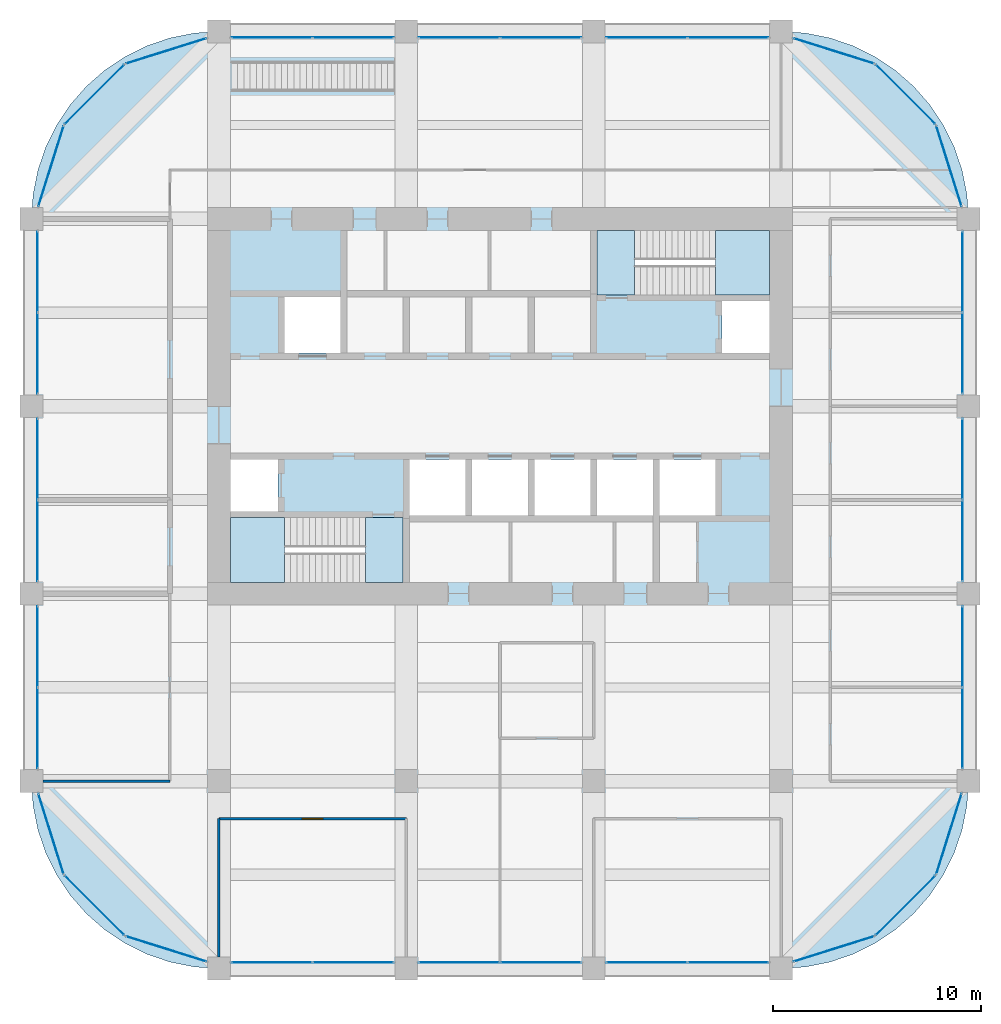
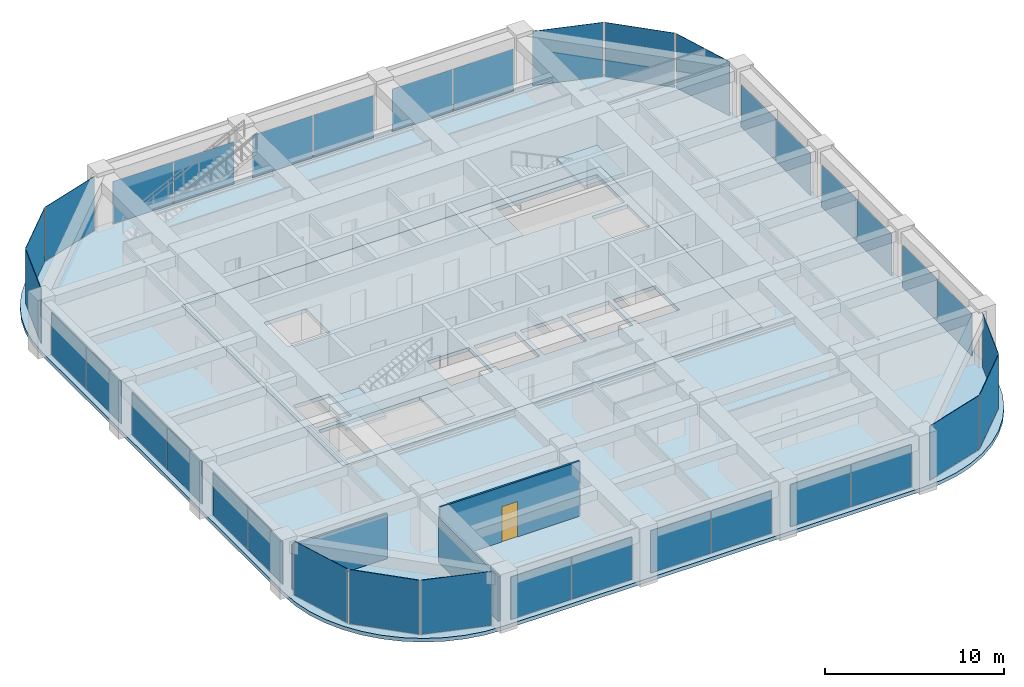
# One storey, part 40 of 44: 36 plates, 6 slabs, 3 walls, 1 door, 1 opening, 26 elements without a shape of their own.
"""IFC4 building model written with IfcOpenShell, lengths in metres."""

from ifc_helpers import new_model, si_unit, direction, frame, frame_2d, origin, origin_2d, place, context, subcontext, project, spatial, polyline, rectangle, outline, extrude, material, layer, layer_set, type_object, element, fill, aggregate, save


model = new_model("IFC4")

# Units and contexts
model_context = context("Model", 3, precision=1e-05, world=origin(), true_north=direction((0.0, 1.0)))
body_context = subcontext(model_context, "Body", "Model", "MODEL_VIEW")
ifc_project = project(units=[si_unit("LENGTHUNIT", "METRE"), si_unit("AREAUNIT", "SQUARE_METRE"), si_unit("VOLUMEUNIT", "CUBIC_METRE"), si_unit("PLANEANGLEUNIT", "RADIAN"), si_unit("MASSUNIT", "GRAM", prefix="KILO")], contexts=[model_context])

# Site, building, storey
site_placement = place(None, origin())
site = spatial("IfcSite", under=ifc_project, at=site_placement, CompositionType="ELEMENT")
building_placement = place(site_placement, origin())
building = spatial("IfcBuilding", under=site, at=building_placement, Name="Zorevar Civic Tower", CompositionType="ELEMENT")
storey_placement = place(building_placement, frame((0.0, 0.0, 271.39990234375)))
storey = spatial("IfcBuildingStorey", under=building, at=storey_placement, Name="L66", CompositionType="ELEMENT", Elevation=271.39990234375)

# Curtain wall, plates
ifc_material_1 = material(Name="Dark grey solar-control glass in black aluminium frame", Category="aluminium")
curtain_wall_type = type_object("IfcCurtainWallType", Name="Curtain wall CW5 top zone", PredefinedType="NOTDEFINED", material=ifc_material_1)
curtain_wall_1_placement = place(storey_placement, origin())
curtain_wall_1 = element("IfcCurtainWall", 1, at=curtain_wall_1_placement, inside=storey, type_object=curtain_wall_type, Name="CW5 L66", PredefinedType="NOTDEFINED")
ifc_material_2 = material(Name="Dark grey solar-control glass", Category="glass")
ifc_layer_1 = layer(ifc_material_2, 0.028076171875)
ifc_layer_set_1 = layer_set([ifc_layer_1], Name="CW5 panel 28")
plate_type = type_object("IfcPlateType", Name="CW5 panel 28", PredefinedType="CURTAIN_PANEL", material=ifc_layer_set_1)
plate_1_placement = place(storey_placement, frame((20.5400390625, 0.300048828125, 0.06005859375), z_axis=(0.0, 0.0, 1.0), x_axis=(1.0, 0.0, 0.0)))
plate_1 = element("IfcPlate", 2, at=plate_1_placement, type_object=plate_type, Name="CW5 panel 1.1", PredefinedType="CURTAIN_PANEL", context=body_context, shape_type="SweptSolid", body=[
    extrude(rectangle(XDim=3.860107421875, YDim=0.028076171875, at=origin_2d()), origin(), (0.0, 0.0, 1.0), 2.889892578125),
])
plate_2_placement = place(storey_placement, frame((24.4599609375, 0.300048828125, 0.06005859375), z_axis=(0.0, 0.0, 1.0), x_axis=(1.0, 0.0, 0.0)))
plate_2 = element("IfcPlate", 3, at=plate_2_placement, type_object=plate_type, Name="CW5 panel 2.1", PredefinedType="CURTAIN_PANEL", context=body_context, shape_type="SweptSolid", body=[
    extrude(rectangle(XDim=3.860107421875, YDim=0.028076171875, at=origin_2d()), origin(), (0.0, 0.0, 1.0), 2.889892578125),
])
aggregate(curtain_wall_1, [plate_1, plate_2])

curtain_wall_2_placement = place(storey_placement, origin())
curtain_wall_2 = element("IfcCurtainWall", 4, at=curtain_wall_2_placement, inside=storey, type_object=curtain_wall_type, Name="CW5 L66", PredefinedType="NOTDEFINED")
plate_3_placement = place(storey_placement, frame((20.5400390625, 44.699951171875, 0.06005859375), z_axis=(0.0, 0.0, 1.0), x_axis=(1.0, 0.0, 0.0)))
plate_3 = element("IfcPlate", 5, at=plate_3_placement, type_object=plate_type, Name="CW5 panel 1.1", PredefinedType="CURTAIN_PANEL", context=body_context, shape_type="SweptSolid", body=[
    extrude(rectangle(XDim=3.860107421875, YDim=0.028076171875, at=origin_2d()), origin(), (0.0, 0.0, 1.0), 2.889892578125),
])
plate_4_placement = place(storey_placement, frame((24.4599609375, 44.699951171875, 0.06005859375), z_axis=(0.0, 0.0, 1.0), x_axis=(1.0, 0.0, 0.0)))
plate_4 = element("IfcPlate", 6, at=plate_4_placement, type_object=plate_type, Name="CW5 panel 2.1", PredefinedType="CURTAIN_PANEL", context=body_context, shape_type="SweptSolid", body=[
    extrude(rectangle(XDim=3.860107421875, YDim=0.028076171875, at=origin_2d()), origin(), (0.0, 0.0, 1.0), 2.889892578125),
])
aggregate(curtain_wall_2, [plate_3, plate_4])

curtain_wall_3_placement = place(storey_placement, origin())
curtain_wall_3 = element("IfcCurtainWall", 7, at=curtain_wall_3_placement, inside=storey, type_object=curtain_wall_type, Name="CW5 L66", PredefinedType="NOTDEFINED")
plate_5_placement = place(storey_placement, frame((29.5400390625, 0.300048828125, 0.06005859375), z_axis=(0.0, 0.0, 1.0), x_axis=(1.0, 0.0, 0.0)))
plate_5 = element("IfcPlate", 8, at=plate_5_placement, type_object=plate_type, Name="CW5 panel 1.1", PredefinedType="CURTAIN_PANEL", context=body_context, shape_type="SweptSolid", body=[
    extrude(rectangle(XDim=3.860107421875, YDim=0.028076171875, at=origin_2d()), origin(), (0.0, 0.0, 1.0), 2.889892578125),
])
plate_6_placement = place(storey_placement, frame((33.4599609375, 0.300048828125, 0.06005859375), z_axis=(0.0, 0.0, 1.0), x_axis=(1.0, 0.0, 0.0)))
plate_6 = element("IfcPlate", 9, at=plate_6_placement, type_object=plate_type, Name="CW5 panel 2.1", PredefinedType="CURTAIN_PANEL", context=body_context, shape_type="SweptSolid", body=[
    extrude(rectangle(XDim=3.860107421875, YDim=0.028076171875, at=origin_2d()), origin(), (0.0, 0.0, 1.0), 2.889892578125),
])
aggregate(curtain_wall_3, [plate_5, plate_6])

curtain_wall_4_placement = place(storey_placement, origin())
curtain_wall_4 = element("IfcCurtainWall", 10, at=curtain_wall_4_placement, inside=storey, type_object=curtain_wall_type, Name="CW5 L66", PredefinedType="NOTDEFINED")
plate_7_placement = place(storey_placement, frame((29.5400390625, 44.699951171875, 0.06005859375), z_axis=(0.0, 0.0, 1.0), x_axis=(1.0, 0.0, 0.0)))
plate_7 = element("IfcPlate", 11, at=plate_7_placement, type_object=plate_type, Name="CW5 panel 1.1", PredefinedType="CURTAIN_PANEL", context=body_context, shape_type="SweptSolid", body=[
    extrude(rectangle(XDim=3.860107421875, YDim=0.028076171875, at=origin_2d()), origin(), (0.0, 0.0, 1.0), 2.889892578125),
])
plate_8_placement = place(storey_placement, frame((33.4599609375, 44.699951171875, 0.06005859375), z_axis=(0.0, 0.0, 1.0), x_axis=(1.0, 0.0, 0.0)))
plate_8 = element("IfcPlate", 12, at=plate_8_placement, type_object=plate_type, Name="CW5 panel 2.1", PredefinedType="CURTAIN_PANEL", context=body_context, shape_type="SweptSolid", body=[
    extrude(rectangle(XDim=3.860107421875, YDim=0.028076171875, at=origin_2d()), origin(), (0.0, 0.0, 1.0), 2.889892578125),
])
aggregate(curtain_wall_4, [plate_7, plate_8])

curtain_wall_5_placement = place(storey_placement, origin())
curtain_wall_5 = element("IfcCurtainWall", 13, at=curtain_wall_5_placement, inside=storey, type_object=curtain_wall_type, Name="CW5 L66", PredefinedType="NOTDEFINED")
plate_9_placement = place(storey_placement, frame((38.5400390625, 0.300048828125, 0.06005859375), z_axis=(0.0, 0.0, 1.0), x_axis=(1.0, 0.0, 0.0)))
plate_9 = element("IfcPlate", 14, at=plate_9_placement, type_object=plate_type, Name="CW5 panel 1.1", PredefinedType="CURTAIN_PANEL", context=body_context, shape_type="SweptSolid", body=[
    extrude(rectangle(XDim=3.860107421875, YDim=0.028076171875, at=origin_2d()), origin(), (0.0, 0.0, 1.0), 2.889892578125),
])
plate_10_placement = place(storey_placement, frame((42.4599609375, 0.300048828125, 0.06005859375), z_axis=(0.0, 0.0, 1.0), x_axis=(1.0, 0.0, 0.0)))
plate_10 = element("IfcPlate", 15, at=plate_10_placement, type_object=plate_type, Name="CW5 panel 2.1", PredefinedType="CURTAIN_PANEL", context=body_context, shape_type="SweptSolid", body=[
    extrude(rectangle(XDim=3.860107421875, YDim=0.028076171875, at=origin_2d()), origin(), (0.0, 0.0, 1.0), 2.889892578125),
])
aggregate(curtain_wall_5, [plate_9, plate_10])

curtain_wall_6_placement = place(storey_placement, origin())
curtain_wall_6 = element("IfcCurtainWall", 16, at=curtain_wall_6_placement, inside=storey, type_object=curtain_wall_type, Name="CW5 L66", PredefinedType="NOTDEFINED")
plate_11_placement = place(storey_placement, frame((38.5400390625, 44.699951171875, 0.06005859375), z_axis=(0.0, 0.0, 1.0), x_axis=(1.0, 0.0, 0.0)))
plate_11 = element("IfcPlate", 17, at=plate_11_placement, type_object=plate_type, Name="CW5 panel 1.1", PredefinedType="CURTAIN_PANEL", context=body_context, shape_type="SweptSolid", body=[
    extrude(rectangle(XDim=3.860107421875, YDim=0.028076171875, at=origin_2d()), origin(), (0.0, 0.0, 1.0), 2.889892578125),
])
plate_12_placement = place(storey_placement, frame((42.4599609375, 44.699951171875, 0.06005859375), z_axis=(0.0, 0.0, 1.0), x_axis=(1.0, 0.0, 0.0)))
plate_12 = element("IfcPlate", 18, at=plate_12_placement, type_object=plate_type, Name="CW5 panel 2.1", PredefinedType="CURTAIN_PANEL", context=body_context, shape_type="SweptSolid", body=[
    extrude(rectangle(XDim=3.860107421875, YDim=0.028076171875, at=origin_2d()), origin(), (0.0, 0.0, 1.0), 2.889892578125),
])
aggregate(curtain_wall_6, [plate_11, plate_12])

curtain_wall_7_placement = place(storey_placement, origin())
curtain_wall_7 = element("IfcCurtainWall", 19, at=curtain_wall_7_placement, inside=storey, type_object=curtain_wall_type, Name="CW5 L66", PredefinedType="NOTDEFINED")
plate_13_placement = place(storey_placement, frame((9.300048828125, 11.5400390625, 0.06005859375), z_axis=(0.0, 0.0, 1.0), x_axis=(0.0, 1.0, 0.0)))
plate_13 = element("IfcPlate", 20, at=plate_13_placement, type_object=plate_type, Name="CW5 panel 1.1", PredefinedType="CURTAIN_PANEL", context=body_context, shape_type="SweptSolid", body=[
    extrude(rectangle(XDim=3.860107421875, YDim=0.028076171875, at=origin_2d()), origin(), (0.0, 0.0, 1.0), 2.889892578125),
])
plate_14_placement = place(storey_placement, frame((9.300048828125, 15.4599609375, 0.06005859375), z_axis=(0.0, 0.0, 1.0), x_axis=(0.0, 1.0, 0.0)))
plate_14 = element("IfcPlate", 21, at=plate_14_placement, type_object=plate_type, Name="CW5 panel 2.1", PredefinedType="CURTAIN_PANEL", context=body_context, shape_type="SweptSolid", body=[
    extrude(rectangle(XDim=3.860107421875, YDim=0.028076171875, at=origin_2d()), origin(), (0.0, 0.0, 1.0), 2.889892578125),
])
aggregate(curtain_wall_7, [plate_13, plate_14])

curtain_wall_8_placement = place(storey_placement, origin())
curtain_wall_8 = element("IfcCurtainWall", 22, at=curtain_wall_8_placement, inside=storey, type_object=curtain_wall_type, Name="CW5 L66", PredefinedType="NOTDEFINED")
plate_15_placement = place(storey_placement, frame((53.699951171875, 11.5400390625, 0.06005859375), z_axis=(0.0, 0.0, 1.0), x_axis=(0.0, 1.0, 0.0)))
plate_15 = element("IfcPlate", 23, at=plate_15_placement, type_object=plate_type, Name="CW5 panel 1.1", PredefinedType="CURTAIN_PANEL", context=body_context, shape_type="SweptSolid", body=[
    extrude(rectangle(XDim=3.860107421875, YDim=0.028076171875, at=origin_2d()), origin(), (0.0, 0.0, 1.0), 2.889892578125),
])
plate_16_placement = place(storey_placement, frame((53.699951171875, 15.4599609375, 0.06005859375), z_axis=(0.0, 0.0, 1.0), x_axis=(0.0, 1.0, 0.0)))
plate_16 = element("IfcPlate", 24, at=plate_16_placement, type_object=plate_type, Name="CW5 panel 2.1", PredefinedType="CURTAIN_PANEL", context=body_context, shape_type="SweptSolid", body=[
    extrude(rectangle(XDim=3.860107421875, YDim=0.028076171875, at=origin_2d()), origin(), (0.0, 0.0, 1.0), 2.889892578125),
])
aggregate(curtain_wall_8, [plate_15, plate_16])

curtain_wall_9_placement = place(storey_placement, origin())
curtain_wall_9 = element("IfcCurtainWall", 25, at=curtain_wall_9_placement, inside=storey, type_object=curtain_wall_type, Name="CW5 L66", PredefinedType="NOTDEFINED")
plate_17_placement = place(storey_placement, frame((9.300048828125, 20.5400390625, 0.06005859375), z_axis=(0.0, 0.0, 1.0), x_axis=(0.0, 1.0, 0.0)))
plate_17 = element("IfcPlate", 26, at=plate_17_placement, type_object=plate_type, Name="CW5 panel 1.1", PredefinedType="CURTAIN_PANEL", context=body_context, shape_type="SweptSolid", body=[
    extrude(rectangle(XDim=3.860107421875, YDim=0.028076171875, at=origin_2d()), origin(), (0.0, 0.0, 1.0), 2.889892578125),
])
plate_18_placement = place(storey_placement, frame((9.300048828125, 24.4599609375, 0.06005859375), z_axis=(0.0, 0.0, 1.0), x_axis=(0.0, 1.0, 0.0)))
plate_18 = element("IfcPlate", 27, at=plate_18_placement, type_object=plate_type, Name="CW5 panel 2.1", PredefinedType="CURTAIN_PANEL", context=body_context, shape_type="SweptSolid", body=[
    extrude(rectangle(XDim=3.860107421875, YDim=0.028076171875, at=origin_2d()), origin(), (0.0, 0.0, 1.0), 2.889892578125),
])
aggregate(curtain_wall_9, [plate_17, plate_18])

curtain_wall_10_placement = place(storey_placement, origin())
curtain_wall_10 = element("IfcCurtainWall", 28, at=curtain_wall_10_placement, inside=storey, type_object=curtain_wall_type, Name="CW5 L66", PredefinedType="NOTDEFINED")
plate_19_placement = place(storey_placement, frame((53.699951171875, 20.5400390625, 0.06005859375), z_axis=(0.0, 0.0, 1.0), x_axis=(0.0, 1.0, 0.0)))
plate_19 = element("IfcPlate", 29, at=plate_19_placement, type_object=plate_type, Name="CW5 panel 1.1", PredefinedType="CURTAIN_PANEL", context=body_context, shape_type="SweptSolid", body=[
    extrude(rectangle(XDim=3.860107421875, YDim=0.028076171875, at=origin_2d()), origin(), (0.0, 0.0, 1.0), 2.889892578125),
])
plate_20_placement = place(storey_placement, frame((53.699951171875, 24.4599609375, 0.06005859375), z_axis=(0.0, 0.0, 1.0), x_axis=(0.0, 1.0, 0.0)))
plate_20 = element("IfcPlate", 30, at=plate_20_placement, type_object=plate_type, Name="CW5 panel 2.1", PredefinedType="CURTAIN_PANEL", context=body_context, shape_type="SweptSolid", body=[
    extrude(rectangle(XDim=3.860107421875, YDim=0.028076171875, at=origin_2d()), origin(), (0.0, 0.0, 1.0), 2.889892578125),
])
aggregate(curtain_wall_10, [plate_19, plate_20])

curtain_wall_11_placement = place(storey_placement, origin())
curtain_wall_11 = element("IfcCurtainWall", 31, at=curtain_wall_11_placement, inside=storey, type_object=curtain_wall_type, Name="CW5 L66", PredefinedType="NOTDEFINED")
plate_21_placement = place(storey_placement, frame((9.300048828125, 29.5400390625, 0.06005859375), z_axis=(0.0, 0.0, 1.0), x_axis=(0.0, 1.0, 0.0)))
plate_21 = element("IfcPlate", 32, at=plate_21_placement, type_object=plate_type, Name="CW5 panel 1.1", PredefinedType="CURTAIN_PANEL", context=body_context, shape_type="SweptSolid", body=[
    extrude(rectangle(XDim=3.860107421875, YDim=0.028076171875, at=origin_2d()), origin(), (0.0, 0.0, 1.0), 2.889892578125),
])
plate_22_placement = place(storey_placement, frame((9.300048828125, 33.4599609375, 0.06005859375), z_axis=(0.0, 0.0, 1.0), x_axis=(0.0, 1.0, 0.0)))
plate_22 = element("IfcPlate", 33, at=plate_22_placement, type_object=plate_type, Name="CW5 panel 2.1", PredefinedType="CURTAIN_PANEL", context=body_context, shape_type="SweptSolid", body=[
    extrude(rectangle(XDim=3.860107421875, YDim=0.028076171875, at=origin_2d()), origin(), (0.0, 0.0, 1.0), 2.889892578125),
])
aggregate(curtain_wall_11, [plate_21, plate_22])

curtain_wall_12_placement = place(storey_placement, origin())
curtain_wall_12 = element("IfcCurtainWall", 34, at=curtain_wall_12_placement, inside=storey, type_object=curtain_wall_type, Name="CW5 L66", PredefinedType="NOTDEFINED")
plate_23_placement = place(storey_placement, frame((53.699951171875, 29.5400390625, 0.06005859375), z_axis=(0.0, 0.0, 1.0), x_axis=(0.0, 1.0, 0.0)))
plate_23 = element("IfcPlate", 35, at=plate_23_placement, type_object=plate_type, Name="CW5 panel 1.1", PredefinedType="CURTAIN_PANEL", context=body_context, shape_type="SweptSolid", body=[
    extrude(rectangle(XDim=3.860107421875, YDim=0.028076171875, at=origin_2d()), origin(), (0.0, 0.0, 1.0), 2.889892578125),
])
plate_24_placement = place(storey_placement, frame((53.699951171875, 33.4599609375, 0.06005859375), z_axis=(0.0, 0.0, 1.0), x_axis=(0.0, 1.0, 0.0)))
plate_24 = element("IfcPlate", 36, at=plate_24_placement, type_object=plate_type, Name="CW5 panel 2.1", PredefinedType="CURTAIN_PANEL", context=body_context, shape_type="SweptSolid", body=[
    extrude(rectangle(XDim=3.860107421875, YDim=0.028076171875, at=origin_2d()), origin(), (0.0, 0.0, 1.0), 2.889892578125),
])
aggregate(curtain_wall_12, [plate_23, plate_24])

# Curtain wall, plate
curtain_wall_13_placement = place(storey_placement, origin())
curtain_wall_13 = element("IfcCurtainWall", 37, at=curtain_wall_13_placement, inside=storey, type_object=curtain_wall_type, Name="CW5 L66", PredefinedType="NOTDEFINED")
plate_25_placement = place(storey_placement, frame((47.52880859375, 0.938232421875, 0.06005859375), z_axis=(0.0, 0.0, 1.0), x_axis=(0.954153437674, 0.299317920238, 0.0)))
plate_25 = element("IfcPlate", 38, at=plate_25_placement, type_object=plate_type, Name="CW5 panel 1.1", PredefinedType="CURTAIN_PANEL", context=body_context, shape_type="SweptSolid", body=[
    extrude(rectangle(XDim=4.028076171875, YDim=0.028076171875, at=origin_2d()), origin(), (0.0, 0.0, 1.0), 3.68994140625),
])
aggregate(curtain_wall_13, [plate_25])

curtain_wall_14_placement = place(storey_placement, origin())
curtain_wall_14 = element("IfcCurtainWall", 39, at=curtain_wall_14_placement, inside=storey, type_object=curtain_wall_type, Name="CW5 L66", PredefinedType="NOTDEFINED")
plate_26_placement = place(storey_placement, frame((50.974365234375, 3.025634765625, 0.06005859375), z_axis=(0.0, 0.0, 1.0), x_axis=(0.707106781187, 0.707106781187, 0.0)))
plate_26 = element("IfcPlate", 40, at=plate_26_placement, type_object=plate_type, Name="CW5 panel 1.1", PredefinedType="CURTAIN_PANEL", context=body_context, shape_type="SweptSolid", body=[
    extrude(rectangle(XDim=4.028076171875, YDim=0.028076171875, at=origin_2d()), origin(), (0.0, 0.0, 1.0), 3.68994140625),
])
aggregate(curtain_wall_14, [plate_26])

curtain_wall_15_placement = place(storey_placement, origin())
curtain_wall_15 = element("IfcCurtainWall", 41, at=curtain_wall_15_placement, inside=storey, type_object=curtain_wall_type, Name="CW5 L66", PredefinedType="NOTDEFINED")
plate_27_placement = place(storey_placement, frame((53.061767578125, 6.47119140625, 0.06005859375), z_axis=(0.0, 0.0, 1.0), x_axis=(0.299317920238, 0.954153437674, 0.0)))
plate_27 = element("IfcPlate", 42, at=plate_27_placement, type_object=plate_type, Name="CW5 panel 1.1", PredefinedType="CURTAIN_PANEL", context=body_context, shape_type="SweptSolid", body=[
    extrude(rectangle(XDim=4.028076171875, YDim=0.028076171875, at=origin_2d()), origin(), (0.0, 0.0, 1.0), 3.68994140625),
])
aggregate(curtain_wall_15, [plate_27])

curtain_wall_16_placement = place(storey_placement, origin())
curtain_wall_16 = element("IfcCurtainWall", 43, at=curtain_wall_16_placement, inside=storey, type_object=curtain_wall_type, Name="CW5 L66", PredefinedType="NOTDEFINED")
plate_28_placement = place(storey_placement, frame((53.061767578125, 38.52880859375, 0.06005859375), z_axis=(0.0, 0.0, 1.0), x_axis=(-0.299317920238, 0.954153437674, 0.0)))
plate_28 = element("IfcPlate", 44, at=plate_28_placement, type_object=plate_type, Name="CW5 panel 1.1", PredefinedType="CURTAIN_PANEL", context=body_context, shape_type="SweptSolid", body=[
    extrude(rectangle(XDim=4.028076171875, YDim=0.028076171875, at=origin_2d()), origin(), (0.0, 0.0, 1.0), 3.68994140625),
])
aggregate(curtain_wall_16, [plate_28])

curtain_wall_17_placement = place(storey_placement, origin())
curtain_wall_17 = element("IfcCurtainWall", 45, at=curtain_wall_17_placement, inside=storey, type_object=curtain_wall_type, Name="CW5 L66", PredefinedType="NOTDEFINED")
plate_29_placement = place(storey_placement, frame((50.974365234375, 41.974365234375, 0.06005859375), z_axis=(0.0, 0.0, 1.0), x_axis=(-0.707106781187, 0.707106781187, 0.0)))
plate_29 = element("IfcPlate", 46, at=plate_29_placement, type_object=plate_type, Name="CW5 panel 1.1", PredefinedType="CURTAIN_PANEL", context=body_context, shape_type="SweptSolid", body=[
    extrude(rectangle(XDim=4.028076171875, YDim=0.028076171875, at=origin_2d()), origin(), (0.0, 0.0, 1.0), 3.68994140625),
])
aggregate(curtain_wall_17, [plate_29])

curtain_wall_18_placement = place(storey_placement, origin())
curtain_wall_18 = element("IfcCurtainWall", 47, at=curtain_wall_18_placement, inside=storey, type_object=curtain_wall_type, Name="CW5 L66", PredefinedType="NOTDEFINED")
plate_30_placement = place(storey_placement, frame((47.52880859375, 44.061767578125, 0.06005859375), z_axis=(0.0, 0.0, 1.0), x_axis=(-0.954153437674, 0.299317920238, 0.0)))
plate_30 = element("IfcPlate", 48, at=plate_30_placement, type_object=plate_type, Name="CW5 panel 1.1", PredefinedType="CURTAIN_PANEL", context=body_context, shape_type="SweptSolid", body=[
    extrude(rectangle(XDim=4.028076171875, YDim=0.028076171875, at=origin_2d()), origin(), (0.0, 0.0, 1.0), 3.68994140625),
])
aggregate(curtain_wall_18, [plate_30])

curtain_wall_19_placement = place(storey_placement, origin())
curtain_wall_19 = element("IfcCurtainWall", 49, at=curtain_wall_19_placement, inside=storey, type_object=curtain_wall_type, Name="CW5 L66", PredefinedType="NOTDEFINED")
plate_31_placement = place(storey_placement, frame((15.47119140625, 44.061767578125, 0.06005859375), z_axis=(0.0, 0.0, 1.0), x_axis=(-0.954153437674, -0.299317920238, 0.0)))
plate_31 = element("IfcPlate", 50, at=plate_31_placement, type_object=plate_type, Name="CW5 panel 1.1", PredefinedType="CURTAIN_PANEL", context=body_context, shape_type="SweptSolid", body=[
    extrude(rectangle(XDim=4.028076171875, YDim=0.028076171875, at=origin_2d()), origin(), (0.0, 0.0, 1.0), 3.68994140625),
])
aggregate(curtain_wall_19, [plate_31])

curtain_wall_20_placement = place(storey_placement, origin())
curtain_wall_20 = element("IfcCurtainWall", 51, at=curtain_wall_20_placement, inside=storey, type_object=curtain_wall_type, Name="CW5 L66", PredefinedType="NOTDEFINED")
plate_32_placement = place(storey_placement, frame((12.025634765625, 41.974365234375, 0.06005859375), z_axis=(0.0, 0.0, 1.0), x_axis=(-0.707106781187, -0.707106781187, 0.0)))
plate_32 = element("IfcPlate", 52, at=plate_32_placement, type_object=plate_type, Name="CW5 panel 1.1", PredefinedType="CURTAIN_PANEL", context=body_context, shape_type="SweptSolid", body=[
    extrude(rectangle(XDim=4.028076171875, YDim=0.028076171875, at=origin_2d()), origin(), (0.0, 0.0, 1.0), 3.68994140625),
])
aggregate(curtain_wall_20, [plate_32])

curtain_wall_21_placement = place(storey_placement, origin())
curtain_wall_21 = element("IfcCurtainWall", 53, at=curtain_wall_21_placement, inside=storey, type_object=curtain_wall_type, Name="CW5 L66", PredefinedType="NOTDEFINED")
plate_33_placement = place(storey_placement, frame((9.938232421875, 38.52880859375, 0.06005859375), z_axis=(0.0, 0.0, 1.0), x_axis=(-0.299317920238, -0.954153437674, 0.0)))
plate_33 = element("IfcPlate", 54, at=plate_33_placement, type_object=plate_type, Name="CW5 panel 1.1", PredefinedType="CURTAIN_PANEL", context=body_context, shape_type="SweptSolid", body=[
    extrude(rectangle(XDim=4.028076171875, YDim=0.028076171875, at=origin_2d()), origin(), (0.0, 0.0, 1.0), 3.68994140625),
])
aggregate(curtain_wall_21, [plate_33])

curtain_wall_22_placement = place(storey_placement, origin())
curtain_wall_22 = element("IfcCurtainWall", 55, at=curtain_wall_22_placement, inside=storey, type_object=curtain_wall_type, Name="CW5 L66", PredefinedType="NOTDEFINED")
plate_34_placement = place(storey_placement, frame((9.938232421875, 6.47119140625, 0.06005859375), z_axis=(0.0, 0.0, 1.0), x_axis=(0.299317920238, -0.954153437674, 0.0)))
plate_34 = element("IfcPlate", 56, at=plate_34_placement, type_object=plate_type, Name="CW5 panel 1.1", PredefinedType="CURTAIN_PANEL", context=body_context, shape_type="SweptSolid", body=[
    extrude(rectangle(XDim=4.028076171875, YDim=0.028076171875, at=origin_2d()), origin(), (0.0, 0.0, 1.0), 3.68994140625),
])
aggregate(curtain_wall_22, [plate_34])

curtain_wall_23_placement = place(storey_placement, origin())
curtain_wall_23 = element("IfcCurtainWall", 57, at=curtain_wall_23_placement, inside=storey, type_object=curtain_wall_type, Name="CW5 L66", PredefinedType="NOTDEFINED")
plate_35_placement = place(storey_placement, frame((12.025634765625, 3.025634765625, 0.06005859375), z_axis=(0.0, 0.0, 1.0), x_axis=(0.707106781187, -0.707106781187, 0.0)))
plate_35 = element("IfcPlate", 58, at=plate_35_placement, type_object=plate_type, Name="CW5 panel 1.1", PredefinedType="CURTAIN_PANEL", context=body_context, shape_type="SweptSolid", body=[
    extrude(rectangle(XDim=4.028076171875, YDim=0.028076171875, at=origin_2d()), origin(), (0.0, 0.0, 1.0), 3.68994140625),
])
aggregate(curtain_wall_23, [plate_35])

curtain_wall_24_placement = place(storey_placement, origin())
curtain_wall_24 = element("IfcCurtainWall", 59, at=curtain_wall_24_placement, inside=storey, type_object=curtain_wall_type, Name="CW5 L66", PredefinedType="NOTDEFINED")
plate_36_placement = place(storey_placement, frame((15.47119140625, 0.938232421875, 0.06005859375), z_axis=(0.0, 0.0, 1.0), x_axis=(0.954153437674, -0.299317920238, 0.0)))
plate_36 = element("IfcPlate", 60, at=plate_36_placement, type_object=plate_type, Name="CW5 panel 1.1", PredefinedType="CURTAIN_PANEL", context=body_context, shape_type="SweptSolid", body=[
    extrude(rectangle(XDim=4.028076171875, YDim=0.028076171875, at=origin_2d()), origin(), (0.0, 0.0, 1.0), 3.68994140625),
])
aggregate(curtain_wall_24, [plate_36])

# Slabs
ifc_material_3 = material(Name="Concrete C40/50", Category="concrete")
ifc_layer_2 = layer(ifc_material_3, 0.25)
ifc_layer_set_2 = layer_set([ifc_layer_2], Name="Floor slab 250")
slab_type_1 = type_object("IfcSlabType", Name="Floor slab 250", PredefinedType="FLOOR", material=ifc_layer_set_2)
slab_1_placement = place(storey_placement, frame((0.0, 0.0, -0.25)))
element("IfcSlab", 61, at=slab_1_placement, inside=storey, type_object=slab_type_1, Name="Floor slab L66", PredefinedType="FLOOR", context=body_context, shape_type="SweptSolid", body=[
    extrude(outline(polyline([(45.0, 0.0), (46.1748046875, 0.076904296875), (47.329345703125, 0.306640625), (48.444091796875, 0.68505859375), (49.5, 1.205810546875), (50.478759765625, 1.85986328125), (51.364013671875, 2.635986328125), (52.14013671875, 3.521240234375), (52.794189453125, 4.5), (53.31494140625, 5.555908203125), (53.693359375, 6.670654296875), (53.923095703125, 7.8251953125), (54.0, 9.0), (54.0, 36.0), (53.923095703125, 37.1748046875), (53.693359375, 38.329345703125), (53.31494140625, 39.444091796875), (52.794189453125, 40.5), (52.14013671875, 41.478759765625), (51.364013671875, 42.364013671875), (50.478759765625, 43.14013671875), (49.5, 43.794189453125), (48.444091796875, 44.31494140625), (47.329345703125, 44.693359375), (46.1748046875, 44.923095703125), (45.0, 45.0), (18.0, 45.0), (16.8251953125, 44.923095703125), (15.670654296875, 44.693359375), (14.555908203125, 44.31494140625), (13.5, 43.794189453125), (12.521240234375, 43.14013671875), (11.635986328125, 42.364013671875), (10.85986328125, 41.478759765625), (10.205810546875, 40.5), (9.68505859375, 39.444091796875), (9.306640625, 38.329345703125), (9.076904296875, 37.1748046875), (9.0, 36.0), (9.0, 9.0), (9.076904296875, 7.8251953125), (9.306640625, 6.670654296875), (9.68505859375, 5.555908203125), (10.205810546875, 4.5), (10.85986328125, 3.521240234375), (11.635986328125, 2.635986328125), (12.521240234375, 1.85986328125), (13.5, 1.205810546875), (14.555908203125, 0.68505859375), (15.670654296875, 0.306640625), (16.8251953125, 0.076904296875), (18.0, 0.0), (45.0, 0.0)]), holes=[polyline([(18.0, 18.0), (45.0, 18.0), (45.0, 36.0), (18.0, 36.0), (18.0, 18.0)])]), origin(), (0.0, 0.0, 1.0), 0.25),
])
slab_2_placement = place(storey_placement, frame((0.0, 0.0, -0.25)))
element("IfcSlab", 62, at=slab_2_placement, inside=storey, type_object=slab_type_1, Name="Core floor L66", PredefinedType="FLOOR", context=body_context, shape_type="SweptSolid", body=[
    extrude(outline(polyline([(18.0, 18.0), (45.0, 18.0), (45.0, 36.0), (18.0, 36.0), (18.0, 18.0)]), holes=[polyline([(18.550048828125, 18.550048828125), (26.85009765625, 18.550048828125), (26.85009765625, 21.64990234375), (18.550048828125, 21.64990234375), (18.550048828125, 18.550048828125)]), polyline([(36.14990234375, 32.35009765625), (44.449951171875, 32.35009765625), (44.449951171875, 35.449951171875), (36.14990234375, 35.449951171875), (36.14990234375, 32.35009765625)]), polyline([(18.550048828125, 21.949951171875), (20.85009765625, 21.949951171875), (20.85009765625, 24.449951171875), (18.550048828125, 24.449951171875), (18.550048828125, 21.949951171875)]), polyline([(42.14990234375, 29.550048828125), (44.449951171875, 29.550048828125), (44.449951171875, 32.050048828125), (42.14990234375, 32.050048828125), (42.14990234375, 29.550048828125)]), polyline([(27.14990234375, 21.75), (29.85009765625, 21.75), (29.85009765625, 24.449951171875), (27.14990234375, 24.449951171875), (27.14990234375, 21.75)]), polyline([(30.14990234375, 21.75), (32.85009765625, 21.75), (32.85009765625, 24.449951171875), (30.14990234375, 24.449951171875), (30.14990234375, 21.75)]), polyline([(33.14990234375, 21.75), (35.85009765625, 21.75), (35.85009765625, 24.449951171875), (33.14990234375, 24.449951171875), (33.14990234375, 21.75)]), polyline([(36.14990234375, 21.75), (38.85009765625, 21.75), (38.85009765625, 24.449951171875), (36.14990234375, 24.449951171875), (36.14990234375, 21.75)]), polyline([(39.14990234375, 21.75), (41.85009765625, 21.75), (41.85009765625, 24.449951171875), (39.14990234375, 24.449951171875), (39.14990234375, 21.75)]), polyline([(21.14990234375, 29.550048828125), (23.85009765625, 29.550048828125), (23.85009765625, 32.25), (21.14990234375, 32.25), (21.14990234375, 29.550048828125)])]), origin(), (0.0, 0.0, 1.0), 0.25),
])

# Stair, slabs
ifc_material_4 = material(Name="Precast concrete C40/50", Category="concrete")
stair_type = type_object("IfcStairType", Name="Stair ST 28R", PredefinedType="HALF_TURN_STAIR", material=ifc_material_4)
stair_1_placement = place(storey_placement, origin())
stair_1 = element("IfcStair", 63, at=stair_1_placement, inside=storey, type_object=stair_type, Name="Stair ST1 L66", PredefinedType="HALF_TURN_STAIR")
ifc_material_5 = material(Name="Concrete C40/50", Category="concrete")
ifc_layer_3 = layer(ifc_material_5, 0.199951171875)
ifc_layer_set_3 = layer_set([ifc_layer_3], Name="Stair landing 200")
slab_type_2 = type_object("IfcSlabType", Name="Stair landing 200", PredefinedType="LANDING", material=ifc_layer_set_3)
slab_3_placement = place(storey_placement, frame((0.0, 0.0, -0.199951171875)))
slab_3 = element("IfcSlab", 64, at=slab_3_placement, type_object=slab_type_2, Name="ST1 landing 1", PredefinedType="LANDING", context=body_context, shape_type="SweptSolid", body=[
    extrude(outline(polyline([(25.050048828125, 18.550048828125), (26.85009765625, 18.550048828125), (26.85009765625, 21.64990234375), (25.050048828125, 21.64990234375), (25.050048828125, 18.550048828125)])), origin(), (0.0, 0.0, 1.0), 0.199951171875),
])
slab_4_placement = place(storey_placement, frame((0.0, 0.0, 1.800048828125)))
slab_4 = element("IfcSlab", 65, at=slab_4_placement, type_object=slab_type_2, Name="ST1 landing 2", PredefinedType="LANDING", context=body_context, shape_type="SweptSolid", body=[
    extrude(outline(polyline([(18.550048828125, 18.550048828125), (21.14990234375, 18.550048828125), (21.14990234375, 21.64990234375), (18.550048828125, 21.64990234375), (18.550048828125, 18.550048828125)])), origin(), (0.0, 0.0, 1.0), 0.199951171875),
])
aggregate(stair_1, [slab_3, slab_4])

stair_2_placement = place(storey_placement, origin())
stair_2 = element("IfcStair", 66, at=stair_2_placement, inside=storey, type_object=stair_type, Name="Stair ST2 L66", PredefinedType="HALF_TURN_STAIR")
slab_5_placement = place(storey_placement, frame((0.0, 0.0, -0.199951171875)))
slab_5 = element("IfcSlab", 67, at=slab_5_placement, type_object=slab_type_2, Name="ST2 landing 1", PredefinedType="LANDING", context=body_context, shape_type="SweptSolid", body=[
    extrude(outline(polyline([(37.949951171875, 32.35009765625), (36.14990234375, 32.35009765625), (36.14990234375, 35.449951171875), (37.949951171875, 35.449951171875), (37.949951171875, 32.35009765625)])), origin(), (0.0, 0.0, 1.0), 0.199951171875),
])
slab_6_placement = place(storey_placement, frame((0.0, 0.0, 1.800048828125)))
slab_6 = element("IfcSlab", 68, at=slab_6_placement, type_object=slab_type_2, Name="ST2 landing 2", PredefinedType="LANDING", context=body_context, shape_type="SweptSolid", body=[
    extrude(outline(polyline([(44.449951171875, 32.35009765625), (41.85009765625, 32.35009765625), (41.85009765625, 35.449951171875), (44.449951171875, 35.449951171875), (44.449951171875, 32.35009765625)])), origin(), (0.0, 0.0, 1.0), 0.199951171875),
])
aggregate(stair_2, [slab_5, slab_6])

# Wall, opening, door
ifc_material_6 = material(Name="Gypsum board on steel studs", Category="steel")
ifc_layer_4 = layer(ifc_material_6, 0.1201171875)
ifc_layer_set_4 = layer_set([ifc_layer_4], Name="Partition 120")
wall_type = type_object("IfcWallType", Name="Partition 120", PredefinedType="PARTITIONING", material=ifc_layer_set_4)
wall_1_placement = place(storey_placement, frame((18.0, 7.199951171875, 0.0), z_axis=(0.0, 0.0, 1.0), x_axis=(1.0, 0.0, 0.0)))
wall_1 = element("IfcWall", 69, at=wall_1_placement, inside=storey, type_object=wall_type, Name="Partition 120 L66", PredefinedType="PARTITIONING", context=body_context, shape_type="SweptSolid", body=[
    extrude(rectangle(XDim=9.0, YDim=0.1201171875, at=frame_2d((4.5, 0.0))), origin(), (0.0, 0.0, 1.0), 3.75),
])
opening_placement = place(wall_1_placement, frame((4.0, 0.0, 0.0)))
opening = element("IfcOpeningElement", 70, at=opening_placement, cuts=wall_1, Name="Opening L66.17", PredefinedType="OPENING", context=body_context, shape_type="SweptSolid", body=[
    extrude(rectangle(XDim=1.0, YDim=2.39990234375, at=frame_2d((0.5, 1.199951171875))), frame((0.0, 0.070068359375, 0.0), z_axis=(0.0, -1.0, 0.0), x_axis=(1.0, 0.0, 0.0)), (0.0, 0.0, 1.0), 0.14013671875),
])
ifc_material_7 = material(Name="Timber door set", Category="wood")
door_type = type_object("IfcDoorType", Name="Door D1 1000x2400", OperationType="SINGLE_SWING_LEFT", PredefinedType="DOOR", material=ifc_material_7)
door_placement = place(opening_placement, origin())
door = element("IfcDoor", 71, at=door_placement, inside=storey, type_object=door_type, Name="Door L66 D1", OperationType="SINGLE_SWING_LEFT", OverallHeight=2.39990234375, OverallWidth=1.0, PredefinedType="DOOR", context=body_context, shape_type="SweptSolid", body=[
    extrude(rectangle(XDim=1.0, YDim=2.39990234375, at=frame_2d((0.5, 1.199951171875))), frame((0.0, 0.02490234375, 0.0), z_axis=(0.0, -1.0, 0.0), x_axis=(1.0, 0.0, 0.0)), (0.0, 0.0, 1.0), 0.050048828125),
])
fill(opening, door)

# Walls
wall_2_placement = place(storey_placement, frame((9.550048828125, 9.0, 0.0), z_axis=(0.0, 0.0, 1.0), x_axis=(1.0, 0.0, 0.0)))
element("IfcWall", 72, at=wall_2_placement, inside=storey, type_object=wall_type, Name="Partition 120 L66", PredefinedType="PARTITIONING", context=body_context, shape_type="SweptSolid", body=[
    extrude(rectangle(XDim=6.099853515625, YDim=0.1201171875, at=frame_2d((3.0498046875, 0.0))), origin(), (0.0, 0.0, 1.0), 3.050048828125),
])
wall_3_placement = place(storey_placement, frame((18.0, 0.550048828125, 0.0), z_axis=(0.0, 0.0, 1.0), x_axis=(0.0, 1.0, 0.0)))
element("IfcWall", 73, at=wall_3_placement, inside=storey, type_object=wall_type, Name="Partition 120 L66", PredefinedType="PARTITIONING", context=body_context, shape_type="SweptSolid", body=[
    extrude(rectangle(XDim=6.64990234375, YDim=0.1201171875, at=frame_2d((3.324951171875, 0.0))), origin(), (0.0, 0.0, 1.0), 3.050048828125),
])

save(model, "model.ifc")
